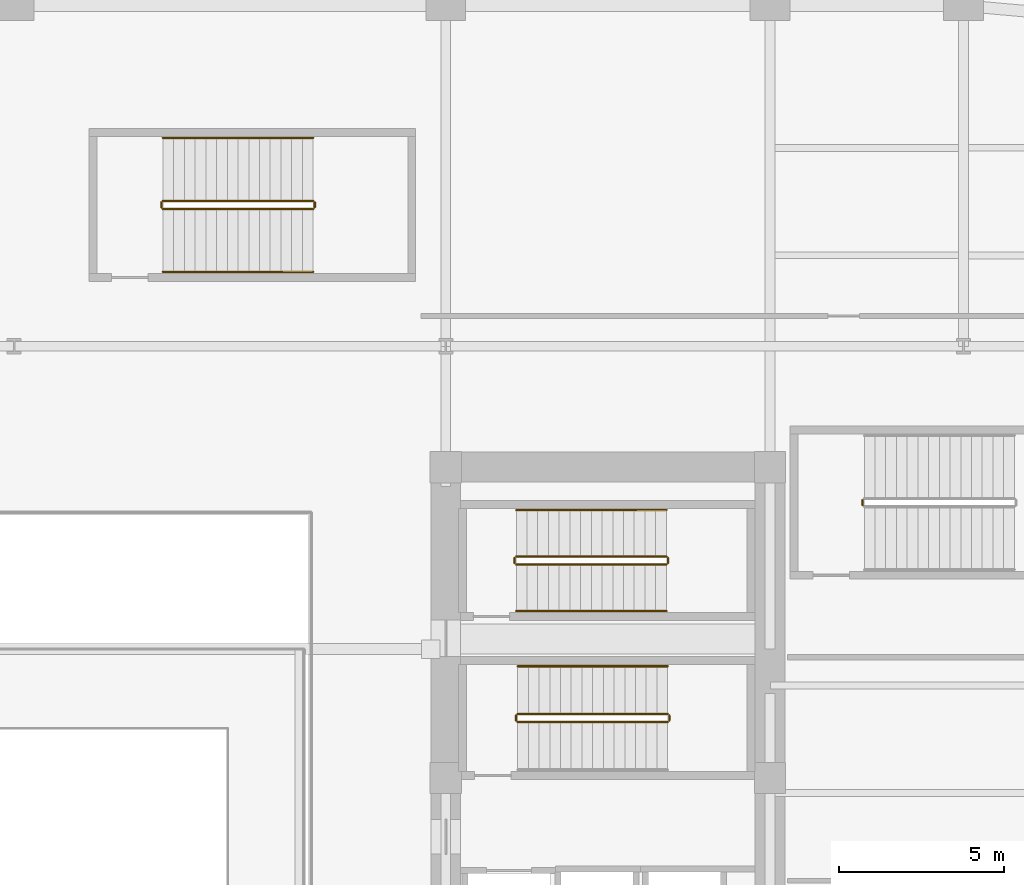
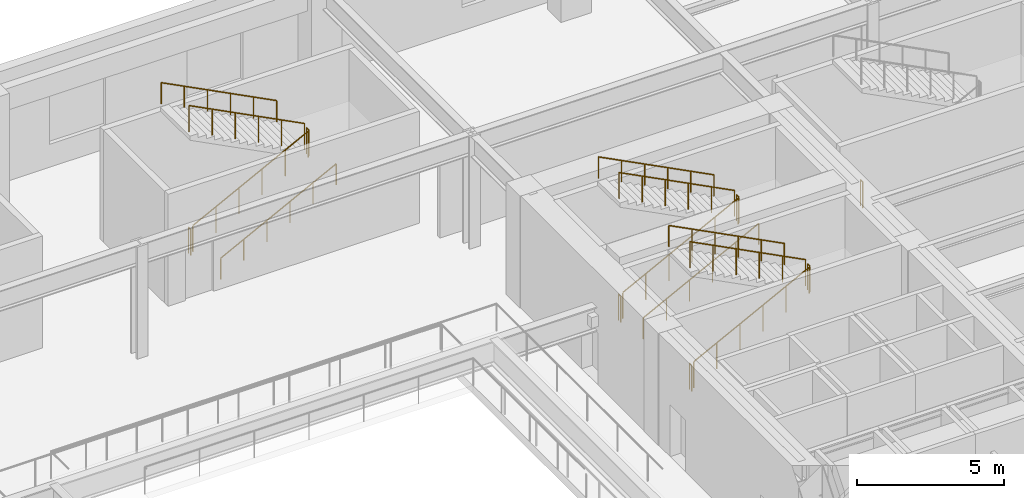
# One storey, part 20 of 22: 18 railings.
"""IFC4 building model written with IfcOpenShell, lengths in metres."""

from ifc_helpers import new_model, si_unit, direction, frame, origin, origin_2d, place, context, subcontext, project, spatial, circle, extrude, material, type_object, element, save


model = new_model("IFC4")

# Units and contexts
model_context = context("Model", 3, precision=1e-05, world=origin(), true_north=direction((0.0, 1.0)))
body_context = subcontext(model_context, "Body", "Model", "MODEL_VIEW")
ifc_project = project(units=[si_unit("LENGTHUNIT", "METRE"), si_unit("AREAUNIT", "SQUARE_METRE"), si_unit("VOLUMEUNIT", "CUBIC_METRE"), si_unit("PLANEANGLEUNIT", "RADIAN"), si_unit("MASSUNIT", "GRAM", prefix="KILO")], contexts=[model_context])

# Site, building, storey
site_placement = place(None, origin())
site = spatial("IfcSite", under=ifc_project, at=site_placement, CompositionType="ELEMENT")
building_placement = place(site_placement, origin())
building = spatial("IfcBuilding", under=site, at=building_placement, Name="Kolvaren Arena Tower", CompositionType="ELEMENT")
storey_placement = place(building_placement, frame((0.0, 0.0, 13.0)))
storey = spatial("IfcBuildingStorey", under=building, at=storey_placement, Name="L02", CompositionType="ELEMENT", Elevation=13.0)

# Railings
ifc_material_1 = material(Name="Painted galvanized steel", Category="steel")
railing_type_1 = type_object("IfcRailingType", Name="GUARD-ST-110", PredefinedType="GUARDRAIL", material=ifc_material_1)
railing_1_placement = place(storey_placement, frame((52.719970703125, 31.639892578125, 0.166748046875)))
element("IfcRailing", 1, at=railing_1_placement, inside=storey, type_object=railing_type_1, Name="L02 ST-E1 stair guard 1", PredefinedType="GUARDRAIL", context=body_context, shape_type="SweptSolid", body=[
    extrude(circle(Radius=0.02392578125, at=origin_2d()), frame((0.0, 0.0, 1.076171875), z_axis=(0.889257211316, 0.0, 0.457407490234), x_axis=(0.0, 1.0, 0.0)), (0.0, 0.0, 1.0), 5.10107421875),
    extrude(circle(Radius=0.02099609375, at=origin_2d()), origin(), (0.0, 0.0, 1.0), 1.052001953125),
    extrude(circle(Radius=0.02099609375, at=origin_2d()), frame((0.9072265625, 0.0, 0.466552734375)), (0.0, 0.0, 1.0), 1.052001953125),
    extrude(circle(Radius=0.02099609375, at=origin_2d()), frame((1.814453125, 0.0, 0.933349609375)), (0.0, 0.0, 1.0), 1.052001953125),
    extrude(circle(Radius=0.02099609375, at=origin_2d()), frame((2.7216796875, 0.0, 1.39990234375)), (0.0, 0.0, 1.0), 1.052001953125),
    extrude(circle(Radius=0.02099609375, at=origin_2d()), frame((3.62890625, 0.0, 1.86669921875)), (0.0, 0.0, 1.0), 1.052001953125),
    extrude(circle(Radius=0.02099609375, at=origin_2d()), frame((4.5361328125, 0.0, 2.333251953125)), (0.0, 0.0, 1.0), 1.052001953125),
])
railing_2_placement = place(storey_placement, frame((57.305908203125, 31.68994140625, 2.5)))
element("IfcRailing", 2, at=railing_2_placement, inside=storey, type_object=railing_type_1, Name="L02 ST-E1 stair guard 2", PredefinedType="GUARDRAIL", context=body_context, shape_type="SweptSolid", body=[
    extrude(circle(Radius=0.02392578125, at=origin_2d()), frame((0.0, 0.0, 1.076171875), z_axis=(0.0, 1.0, 0.0), x_axis=(-1.0, 0.0, 0.0)), (0.0, 0.0, 1.0), 0.150146484375),
    extrude(circle(Radius=0.02099609375, at=origin_2d()), origin(), (0.0, 0.0, 1.0), 1.052001953125),
    extrude(circle(Radius=0.02099609375, at=origin_2d()), frame((0.0, 0.150146484375, 0.0)), (0.0, 0.0, 1.0), 1.052001953125),
])
railing_3_placement = place(storey_placement, frame((57.256103515625, 31.889892578125, 2.666748046875)))
element("IfcRailing", 3, at=railing_3_placement, inside=storey, type_object=railing_type_1, Name="L02 ST-E1 stair guard 3", PredefinedType="GUARDRAIL", context=body_context, shape_type="SweptSolid", body=[
    extrude(circle(Radius=0.02392578125, at=origin_2d()), frame((0.0, 0.0, 1.076171875), z_axis=(-0.889257211316, 0.0, 0.457407490234), x_axis=(0.0, -1.0, 0.0)), (0.0, 0.0, 1.0), 5.10107421875),
    extrude(circle(Radius=0.02099609375, at=origin_2d()), origin(), (0.0, 0.0, 1.0), 1.052001953125),
    extrude(circle(Radius=0.02099609375, at=origin_2d()), frame((-0.9072265625, 0.0, 0.466552734375)), (0.0, 0.0, 1.0), 1.052001953125),
    extrude(circle(Radius=0.02099609375, at=origin_2d()), frame((-1.814453125, 0.0, 0.933349609375)), (0.0, 0.0, 1.0), 1.052001953125),
    extrude(circle(Radius=0.02099609375, at=origin_2d()), frame((-2.7216796875, 0.0, 1.39990234375)), (0.0, 0.0, 1.0), 1.052001953125),
    extrude(circle(Radius=0.02099609375, at=origin_2d()), frame((-3.62890625, 0.0, 1.86669921875)), (0.0, 0.0, 1.0), 1.052001953125),
    extrude(circle(Radius=0.02099609375, at=origin_2d()), frame((-4.5361328125, 0.0, 2.333251953125)), (0.0, 0.0, 1.0), 1.052001953125),
])
railing_4_placement = place(storey_placement, frame((52.669921875, 31.68994140625, 0.0)))
element("IfcRailing", 4, at=railing_4_placement, inside=storey, type_object=railing_type_1, Name="L02 ST-E1 stair guard 4", PredefinedType="GUARDRAIL", context=body_context, shape_type="SweptSolid", body=[
    extrude(circle(Radius=0.02392578125, at=origin_2d()), frame((0.0, 0.0, 1.076171875), z_axis=(0.0, 1.0, 0.0), x_axis=(-1.0, 0.0, 0.0)), (0.0, 0.0, 1.0), 0.150146484375),
    extrude(circle(Radius=0.02099609375, at=origin_2d()), origin(), (0.0, 0.0, 1.0), 1.052001953125),
    extrude(circle(Radius=0.02099609375, at=origin_2d()), frame((0.0, 0.150146484375, 0.0)), (0.0, 0.0, 1.0), 1.052001953125),
])
railing_5_placement = place(storey_placement, frame((52.679931640625, 36.39990234375, 0.166748046875)))
element("IfcRailing", 5, at=railing_5_placement, inside=storey, type_object=railing_type_1, Name="L02 ST-E2 stair guard 1", PredefinedType="GUARDRAIL", context=body_context, shape_type="SweptSolid", body=[
    extrude(circle(Radius=0.02392578125, at=origin_2d()), frame((0.0, 0.0, 1.076171875), z_axis=(0.889257211316, 0.0, 0.457407490234), x_axis=(0.0, 1.0, 0.0)), (0.0, 0.0, 1.0), 5.10107421875),
    extrude(circle(Radius=0.02099609375, at=origin_2d()), origin(), (0.0, 0.0, 1.0), 1.052001953125),
    extrude(circle(Radius=0.02099609375, at=origin_2d()), frame((0.9072265625, 0.0, 0.466552734375)), (0.0, 0.0, 1.0), 1.052001953125),
    extrude(circle(Radius=0.02099609375, at=origin_2d()), frame((1.814453125, 0.0, 0.933349609375)), (0.0, 0.0, 1.0), 1.052001953125),
    extrude(circle(Radius=0.02099609375, at=origin_2d()), frame((2.7216796875, 0.0, 1.39990234375)), (0.0, 0.0, 1.0), 1.052001953125),
    extrude(circle(Radius=0.02099609375, at=origin_2d()), frame((3.62890625, 0.0, 1.86669921875)), (0.0, 0.0, 1.0), 1.052001953125),
    extrude(circle(Radius=0.02099609375, at=origin_2d()), frame((4.5361328125, 0.0, 2.333251953125)), (0.0, 0.0, 1.0), 1.052001953125),
])
railing_6_placement = place(storey_placement, frame((57.26611328125, 36.449951171875, 2.5)))
element("IfcRailing", 6, at=railing_6_placement, inside=storey, type_object=railing_type_1, Name="L02 ST-E2 stair guard 2", PredefinedType="GUARDRAIL", context=body_context, shape_type="SweptSolid", body=[
    extrude(circle(Radius=0.02392578125, at=origin_2d()), frame((0.0, 0.0, 1.076171875), z_axis=(0.0, 1.0, 0.0), x_axis=(-1.0, 0.0, 0.0)), (0.0, 0.0, 1.0), 0.150146484375),
    extrude(circle(Radius=0.02099609375, at=origin_2d()), origin(), (0.0, 0.0, 1.0), 1.052001953125),
    extrude(circle(Radius=0.02099609375, at=origin_2d()), frame((0.0, 0.150146484375, 0.0)), (0.0, 0.0, 1.0), 1.052001953125),
])
railing_7_placement = place(storey_placement, frame((57.216064453125, 36.64990234375, 2.666748046875)))
element("IfcRailing", 7, at=railing_7_placement, inside=storey, type_object=railing_type_1, Name="L02 ST-E2 stair guard 3", PredefinedType="GUARDRAIL", context=body_context, shape_type="SweptSolid", body=[
    extrude(circle(Radius=0.02392578125, at=origin_2d()), frame((0.0, 0.0, 1.076171875), z_axis=(-0.889257211316, 0.0, 0.457407490234), x_axis=(0.0, -1.0, 0.0)), (0.0, 0.0, 1.0), 5.10107421875),
    extrude(circle(Radius=0.02099609375, at=origin_2d()), origin(), (0.0, 0.0, 1.0), 1.052001953125),
    extrude(circle(Radius=0.02099609375, at=origin_2d()), frame((-0.9072265625, 0.0, 0.466552734375)), (0.0, 0.0, 1.0), 1.052001953125),
    extrude(circle(Radius=0.02099609375, at=origin_2d()), frame((-1.814453125, 0.0, 0.933349609375)), (0.0, 0.0, 1.0), 1.052001953125),
    extrude(circle(Radius=0.02099609375, at=origin_2d()), frame((-2.7216796875, 0.0, 1.39990234375)), (0.0, 0.0, 1.0), 1.052001953125),
    extrude(circle(Radius=0.02099609375, at=origin_2d()), frame((-3.62890625, 0.0, 1.86669921875)), (0.0, 0.0, 1.0), 1.052001953125),
    extrude(circle(Radius=0.02099609375, at=origin_2d()), frame((-4.5361328125, 0.0, 2.333251953125)), (0.0, 0.0, 1.0), 1.052001953125),
])
railing_8_placement = place(storey_placement, frame((52.6298828125, 36.449951171875, 0.0)))
element("IfcRailing", 8, at=railing_8_placement, inside=storey, type_object=railing_type_1, Name="L02 ST-E2 stair guard 4", PredefinedType="GUARDRAIL", context=body_context, shape_type="SweptSolid", body=[
    extrude(circle(Radius=0.02392578125, at=origin_2d()), frame((0.0, 0.0, 1.076171875), z_axis=(0.0, 1.0, 0.0), x_axis=(-1.0, 0.0, 0.0)), (0.0, 0.0, 1.0), 0.150146484375),
    extrude(circle(Radius=0.02099609375, at=origin_2d()), origin(), (0.0, 0.0, 1.0), 1.052001953125),
    extrude(circle(Radius=0.02099609375, at=origin_2d()), frame((0.0, 0.150146484375, 0.0)), (0.0, 0.0, 1.0), 1.052001953125),
])
railing_9_placement = place(storey_placement, frame((42.0, 47.14990234375, 0.166748046875)))
element("IfcRailing", 9, at=railing_9_placement, inside=storey, type_object=railing_type_1, Name="L02 ST-A7 stair guard 1", PredefinedType="GUARDRAIL", context=body_context, shape_type="SweptSolid", body=[
    extrude(circle(Radius=0.02392578125, at=origin_2d()), frame((0.0, 0.0, 1.076171875), z_axis=(0.889247197123, 0.0, 0.45742695855), x_axis=(0.0, 1.0, 0.0)), (0.0, 0.0, 1.0), 5.100830078125),
    extrude(circle(Radius=0.02099609375, at=origin_2d()), origin(), (0.0, 0.0, 1.0), 1.052001953125),
    extrude(circle(Radius=0.02099609375, at=origin_2d()), frame((0.9072265625, 0.0, 0.466552734375)), (0.0, 0.0, 1.0), 1.052001953125),
    extrude(circle(Radius=0.02099609375, at=origin_2d()), frame((1.814453125, 0.0, 0.933349609375)), (0.0, 0.0, 1.0), 1.052001953125),
    extrude(circle(Radius=0.02099609375, at=origin_2d()), frame((2.721435546875, 0.0, 1.39990234375)), (0.0, 0.0, 1.0), 1.052001953125),
    extrude(circle(Radius=0.02099609375, at=origin_2d()), frame((3.628662109375, 0.0, 1.86669921875)), (0.0, 0.0, 1.0), 1.052001953125),
    extrude(circle(Radius=0.02099609375, at=origin_2d()), frame((4.535888671875, 0.0, 2.333251953125)), (0.0, 0.0, 1.0), 1.052001953125),
])
railing_10_placement = place(storey_placement, frame((46.5859375, 47.199951171875, 2.5)))
element("IfcRailing", 10, at=railing_10_placement, inside=storey, type_object=railing_type_1, Name="L02 ST-A7 stair guard 2", PredefinedType="GUARDRAIL", context=body_context, shape_type="SweptSolid", body=[
    extrude(circle(Radius=0.02392578125, at=origin_2d()), frame((0.0, 0.0, 1.076171875), z_axis=(0.0, 1.0, 0.0), x_axis=(-1.0, 0.0, 0.0)), (0.0, 0.0, 1.0), 0.150146484375),
    extrude(circle(Radius=0.02099609375, at=origin_2d()), origin(), (0.0, 0.0, 1.0), 1.052001953125),
    extrude(circle(Radius=0.02099609375, at=origin_2d()), frame((0.0, 0.150146484375, 0.0)), (0.0, 0.0, 1.0), 1.052001953125),
])
railing_11_placement = place(storey_placement, frame((46.535888671875, 47.39990234375, 2.666748046875)))
element("IfcRailing", 11, at=railing_11_placement, inside=storey, type_object=railing_type_1, Name="L02 ST-A7 stair guard 3", PredefinedType="GUARDRAIL", context=body_context, shape_type="SweptSolid", body=[
    extrude(circle(Radius=0.02392578125, at=origin_2d()), frame((0.0, 0.0, 1.076171875), z_axis=(-0.889247197123, 0.0, 0.45742695855), x_axis=(0.0, -1.0, 0.0)), (0.0, 0.0, 1.0), 5.100830078125),
    extrude(circle(Radius=0.02099609375, at=origin_2d()), origin(), (0.0, 0.0, 1.0), 1.052001953125),
    extrude(circle(Radius=0.02099609375, at=origin_2d()), frame((-0.9072265625, 0.0, 0.466552734375)), (0.0, 0.0, 1.0), 1.052001953125),
    extrude(circle(Radius=0.02099609375, at=origin_2d()), frame((-1.814453125, 0.0, 0.933349609375)), (0.0, 0.0, 1.0), 1.052001953125),
    extrude(circle(Radius=0.02099609375, at=origin_2d()), frame((-2.721435546875, 0.0, 1.39990234375)), (0.0, 0.0, 1.0), 1.052001953125),
    extrude(circle(Radius=0.02099609375, at=origin_2d()), frame((-3.628662109375, 0.0, 1.86669921875)), (0.0, 0.0, 1.0), 1.052001953125),
    extrude(circle(Radius=0.02099609375, at=origin_2d()), frame((-4.535888671875, 0.0, 2.333251953125)), (0.0, 0.0, 1.0), 1.052001953125),
])
for number, where, name in (
    (12, (41.949951171875, 47.199951171875, 0.0), "L02 ST-A7 stair guard 4"),
    (13, (63.14990234375, 38.199951171875, 0.0), "L02 ST-A8 stair guard 4"),
):
    element("IfcRailing", number, at=place(storey_placement, frame(where)), inside=storey, type_object=railing_type_1, Name=name, PredefinedType="GUARDRAIL", context=body_context, shape_type="SweptSolid", body=[
        extrude(circle(Radius=0.02392578125, at=origin_2d()), frame((0.0, 0.0, 1.076171875), z_axis=(0.0, 1.0, 0.0), x_axis=(-1.0, 0.0, 0.0)), (0.0, 0.0, 1.0), 0.150146484375),
        extrude(circle(Radius=0.02099609375, at=origin_2d()), origin(), (0.0, 0.0, 1.0), 1.052001953125),
        extrude(circle(Radius=0.02099609375, at=origin_2d()), frame((0.0, 0.150146484375, 0.0)), (0.0, 0.0, 1.0), 1.052001953125),
    ])
ifc_material_2 = material(Name="Brushed stainless steel handrail", Category="steel")
railing_type_2 = type_object("IfcRailingType", Name="HRAIL-900", PredefinedType="HANDRAIL", material=ifc_material_2)
railing_12_placement = place(storey_placement, frame((57.256103515625, 33.330078125, 2.666748046875)))
element("IfcRailing", 14, at=railing_12_placement, inside=storey, type_object=railing_type_2, Name="L02 ST-E1 stair handrail 2", PredefinedType="HANDRAIL", context=body_context, shape_type="SweptSolid", body=[
    extrude(circle(Radius=0.02392578125, at=origin_2d()), frame((0.0, 0.0, 0.8759765625), z_axis=(-0.889257211316, 0.0, 0.457407490234), x_axis=(0.0, -1.0, 0.0)), (0.0, 0.0, 1.0), 5.10107421875),
    extrude(circle(Radius=0.02099609375, at=origin_2d()), origin(), (0.0, 0.0, 1.0), 0.851806640625),
    extrude(circle(Radius=0.02099609375, at=origin_2d()), frame((-0.9072265625, 0.0, 0.466552734375)), (0.0, 0.0, 1.0), 0.851806640625),
    extrude(circle(Radius=0.02099609375, at=origin_2d()), frame((-1.814453125, 0.0, 0.933349609375)), (0.0, 0.0, 1.0), 0.851806640625),
    extrude(circle(Radius=0.02099609375, at=origin_2d()), frame((-2.7216796875, 0.0, 1.39990234375)), (0.0, 0.0, 1.0), 0.851806640625),
    extrude(circle(Radius=0.02099609375, at=origin_2d()), frame((-3.62890625, 0.0, 1.86669921875)), (0.0, 0.0, 1.0), 0.851806640625),
    extrude(circle(Radius=0.02099609375, at=origin_2d()), frame((-4.5361328125, 0.0, 2.333251953125)), (0.0, 0.0, 1.0), 0.851806640625),
])
railing_13_placement = place(storey_placement, frame((52.679931640625, 35.0, 0.166748046875)))
element("IfcRailing", 15, at=railing_13_placement, inside=storey, type_object=railing_type_2, Name="L02 ST-E2 stair handrail 1", PredefinedType="HANDRAIL", context=body_context, shape_type="SweptSolid", body=[
    extrude(circle(Radius=0.02392578125, at=origin_2d()), frame((0.0, 0.0, 0.8759765625), z_axis=(0.889257211316, 0.0, 0.457407490234), x_axis=(0.0, 1.0, 0.0)), (0.0, 0.0, 1.0), 5.10107421875),
    extrude(circle(Radius=0.02099609375, at=origin_2d()), origin(), (0.0, 0.0, 1.0), 0.851806640625),
    extrude(circle(Radius=0.02099609375, at=origin_2d()), frame((0.9072265625, 0.0, 0.466552734375)), (0.0, 0.0, 1.0), 0.851806640625),
    extrude(circle(Radius=0.02099609375, at=origin_2d()), frame((1.814453125, 0.0, 0.933349609375)), (0.0, 0.0, 1.0), 0.851806640625),
    extrude(circle(Radius=0.02099609375, at=origin_2d()), frame((2.7216796875, 0.0, 1.39990234375)), (0.0, 0.0, 1.0), 0.851806640625),
    extrude(circle(Radius=0.02099609375, at=origin_2d()), frame((3.62890625, 0.0, 1.86669921875)), (0.0, 0.0, 1.0), 0.851806640625),
    extrude(circle(Radius=0.02099609375, at=origin_2d()), frame((4.5361328125, 0.0, 2.333251953125)), (0.0, 0.0, 1.0), 0.851806640625),
])
railing_14_placement = place(storey_placement, frame((57.216064453125, 38.050048828125, 2.666748046875)))
element("IfcRailing", 16, at=railing_14_placement, inside=storey, type_object=railing_type_2, Name="L02 ST-E2 stair handrail 2", PredefinedType="HANDRAIL", context=body_context, shape_type="SweptSolid", body=[
    extrude(circle(Radius=0.02392578125, at=origin_2d()), frame((0.0, 0.0, 0.8759765625), z_axis=(-0.889257211316, 0.0, 0.457407490234), x_axis=(0.0, -1.0, 0.0)), (0.0, 0.0, 1.0), 5.10107421875),
    extrude(circle(Radius=0.02099609375, at=origin_2d()), origin(), (0.0, 0.0, 1.0), 0.851806640625),
    extrude(circle(Radius=0.02099609375, at=origin_2d()), frame((-0.9072265625, 0.0, 0.466552734375)), (0.0, 0.0, 1.0), 0.851806640625),
    extrude(circle(Radius=0.02099609375, at=origin_2d()), frame((-1.814453125, 0.0, 0.933349609375)), (0.0, 0.0, 1.0), 0.851806640625),
    extrude(circle(Radius=0.02099609375, at=origin_2d()), frame((-2.7216796875, 0.0, 1.39990234375)), (0.0, 0.0, 1.0), 0.851806640625),
    extrude(circle(Radius=0.02099609375, at=origin_2d()), frame((-3.62890625, 0.0, 1.86669921875)), (0.0, 0.0, 1.0), 0.851806640625),
    extrude(circle(Radius=0.02099609375, at=origin_2d()), frame((-4.5361328125, 0.0, 2.333251953125)), (0.0, 0.0, 1.0), 0.851806640625),
])
railing_15_placement = place(storey_placement, frame((42.0, 45.25, 0.166748046875)))
element("IfcRailing", 17, at=railing_15_placement, inside=storey, type_object=railing_type_2, Name="L02 ST-A7 stair handrail 1", PredefinedType="HANDRAIL", context=body_context, shape_type="SweptSolid", body=[
    extrude(circle(Radius=0.02392578125, at=origin_2d()), frame((0.0, 0.0, 0.8759765625), z_axis=(0.889247197123, 0.0, 0.45742695855), x_axis=(0.0, 1.0, 0.0)), (0.0, 0.0, 1.0), 5.100830078125),
    extrude(circle(Radius=0.02099609375, at=origin_2d()), origin(), (0.0, 0.0, 1.0), 0.851806640625),
    extrude(circle(Radius=0.02099609375, at=origin_2d()), frame((0.9072265625, 0.0, 0.466552734375)), (0.0, 0.0, 1.0), 0.851806640625),
    extrude(circle(Radius=0.02099609375, at=origin_2d()), frame((1.814453125, 0.0, 0.933349609375)), (0.0, 0.0, 1.0), 0.851806640625),
    extrude(circle(Radius=0.02099609375, at=origin_2d()), frame((2.721435546875, 0.0, 1.39990234375)), (0.0, 0.0, 1.0), 0.851806640625),
    extrude(circle(Radius=0.02099609375, at=origin_2d()), frame((3.628662109375, 0.0, 1.86669921875)), (0.0, 0.0, 1.0), 0.851806640625),
    extrude(circle(Radius=0.02099609375, at=origin_2d()), frame((4.535888671875, 0.0, 2.333251953125)), (0.0, 0.0, 1.0), 0.851806640625),
])
railing_16_placement = place(storey_placement, frame((46.535888671875, 49.300048828125, 2.666748046875)))
element("IfcRailing", 18, at=railing_16_placement, inside=storey, type_object=railing_type_2, Name="L02 ST-A7 stair handrail 2", PredefinedType="HANDRAIL", context=body_context, shape_type="SweptSolid", body=[
    extrude(circle(Radius=0.02392578125, at=origin_2d()), frame((0.0, 0.0, 0.8759765625), z_axis=(-0.889247197123, 0.0, 0.45742695855), x_axis=(0.0, -1.0, 0.0)), (0.0, 0.0, 1.0), 5.100830078125),
    extrude(circle(Radius=0.02099609375, at=origin_2d()), origin(), (0.0, 0.0, 1.0), 0.851806640625),
    extrude(circle(Radius=0.02099609375, at=origin_2d()), frame((-0.9072265625, 0.0, 0.466552734375)), (0.0, 0.0, 1.0), 0.851806640625),
    extrude(circle(Radius=0.02099609375, at=origin_2d()), frame((-1.814453125, 0.0, 0.933349609375)), (0.0, 0.0, 1.0), 0.851806640625),
    extrude(circle(Radius=0.02099609375, at=origin_2d()), frame((-2.721435546875, 0.0, 1.39990234375)), (0.0, 0.0, 1.0), 0.851806640625),
    extrude(circle(Radius=0.02099609375, at=origin_2d()), frame((-3.628662109375, 0.0, 1.86669921875)), (0.0, 0.0, 1.0), 0.851806640625),
    extrude(circle(Radius=0.02099609375, at=origin_2d()), frame((-4.535888671875, 0.0, 2.333251953125)), (0.0, 0.0, 1.0), 0.851806640625),
])

save(model, "model.ifc")
